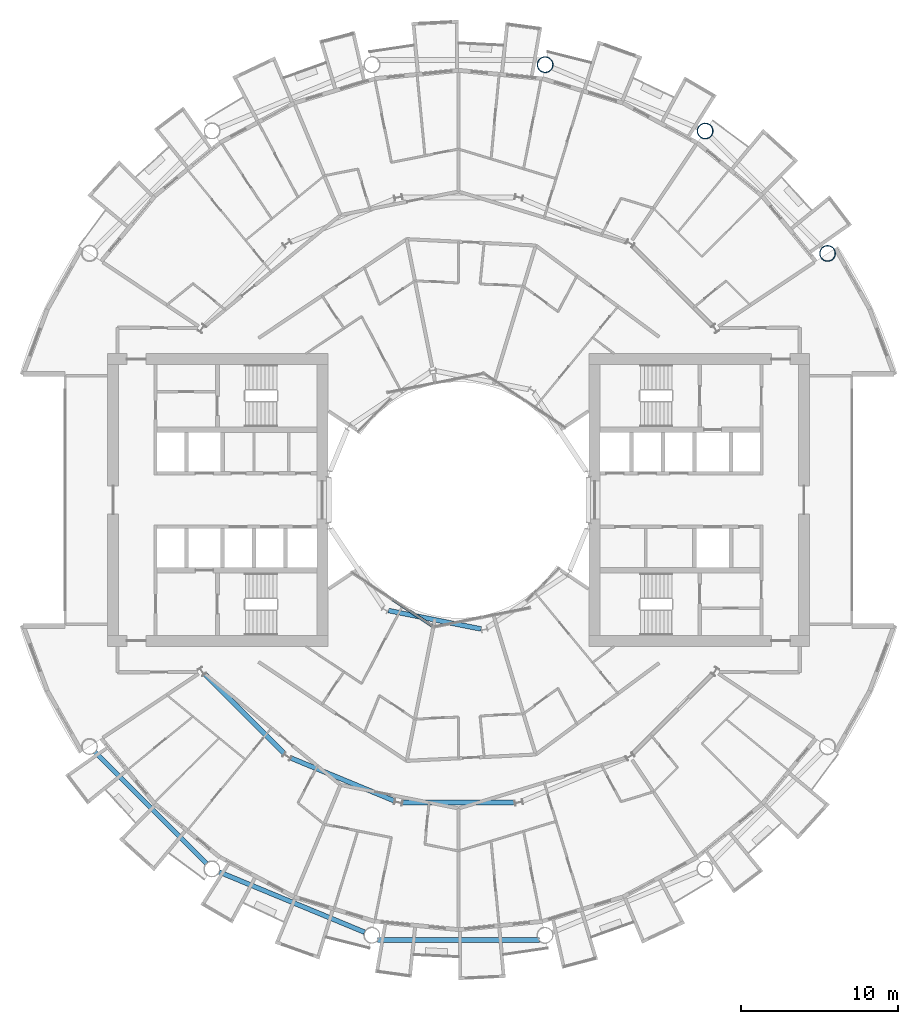
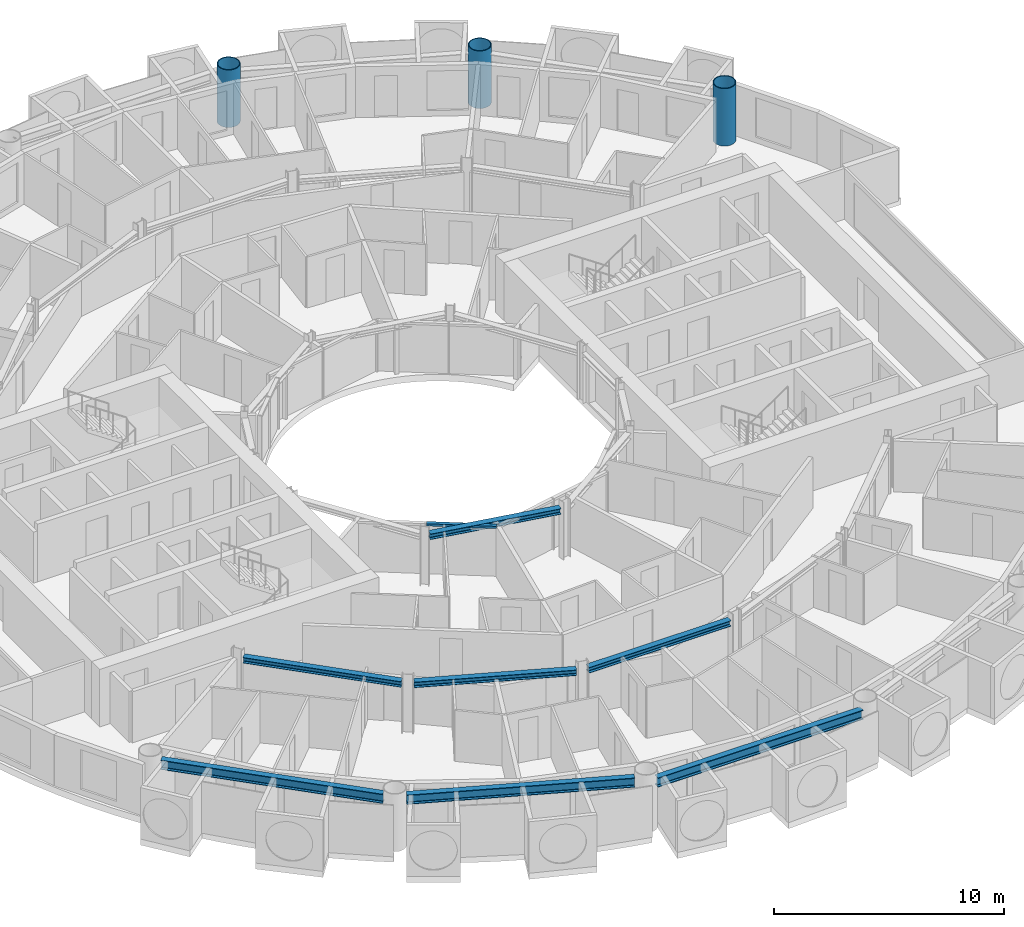
# One storey, part 4 of 26: 7 beams, 3 columns, 1 member, 1 element without a shape of its own.
"""IFC4 building model written with IfcOpenShell, lengths in metres."""

from ifc_helpers import new_model, si_unit, direction, frame, origin, origin_2d, place, context, subcontext, project, spatial, rectangle, hollow_circle, i_section, extrude, material, layer, layer_set, material_profile, profile_set, type_object, element, aggregate, save


model = new_model("IFC4")

# Units and contexts
model_context = context("Model", 3, precision=1e-05, world=origin(), true_north=direction((0.0, 1.0)))
body_context = subcontext(model_context, "Body", "Model", "MODEL_VIEW")
ifc_project = project(units=[si_unit("LENGTHUNIT", "METRE"), si_unit("AREAUNIT", "SQUARE_METRE"), si_unit("VOLUMEUNIT", "CUBIC_METRE"), si_unit("PLANEANGLEUNIT", "RADIAN"), si_unit("MASSUNIT", "GRAM", prefix="KILO")], contexts=[model_context])

# Site, building, storey
site_placement = place(None, origin())
site = spatial("IfcSite", under=ifc_project, at=site_placement, CompositionType="ELEMENT")
building_placement = place(site_placement, origin())
building = spatial("IfcBuilding", under=site, at=building_placement, Name="Maasbend Ring Residences", CompositionType="ELEMENT")
storey_placement = place(building_placement, frame((0.0, 0.0, 91.050048828125)))
storey = spatial("IfcBuildingStorey", under=building, at=storey_placement, Name="L26", CompositionType="ELEMENT", Elevation=91.050048828125)

# Columns
ifc_material_1 = material(Name="Composite concrete-filled steel tube S460NH / C80/95", Category="concrete")
ifc_material_profile_1 = material_profile(ifc_material_1, hollow_circle(Radius=0.508056640625, WallThickness=0.0400390625, at=origin_2d()), Name="Composite tube column CHS 1016x40")
ifc_profile_set_1 = profile_set([ifc_material_profile_1], Name="Composite concrete-filled steel tube S460NH / C80/95")
column_type = type_object("IfcColumnType", Name="Composite tube column CHS 1016x40", PredefinedType="COLUMN", material=ifc_profile_set_1)
for number, where, z_axis, x_axis, name in (
    (1, (23.447509765625, 15.6669921875, 0.0), (0.0, 0.0, 1.0), (1.0, 0.0, 0.0), "Outer column R2"),
    (2, (15.6669921875, 23.447509765625, 0.0), (0.0, 0.0, 1.0), (1.0, 0.0, 0.0), "Outer column R3"),
    (3, (5.50146484375, 27.658203125, 0.0), (0.0, 0.0, 1.0), (1.0, 0.0, 0.0), "Outer column R4"),
):
    element("IfcColumn", number, at=place(storey_placement, frame(where, z_axis=z_axis, x_axis=x_axis)), inside=storey, type_object=column_type, Name=name, PredefinedType="COLUMN", context=body_context, shape_type="SweptSolid", body=[
        extrude(hollow_circle(Radius=0.508056640625, WallThickness=0.0400390625, at=origin_2d()), origin(), (0.0, 0.0, 1.0), 3.050048828125),
    ])

# Curtain wall, member
ifc_material_2 = material(Name="Aluminium and clear glass", Category="aluminium")
ifc_layer = layer(ifc_material_2, 0.179931640625)
ifc_layer_set = layer_set([ifc_layer], Name="CW-W")
curtain_wall_type = type_object("IfcCurtainWallType", Name="CW-W", PredefinedType="NOTDEFINED", material=ifc_layer_set)
curtain_wall_placement = place(storey_placement, origin())
curtain_wall = element("IfcCurtainWall", 4, at=curtain_wall_placement, inside=storey, type_object=curtain_wall_type, Name="Well curtain wall S1", PredefinedType="NOTDEFINED")
ifc_material_3 = material(Name="Aluminium 6063-T6", Category="aluminium")
ifc_material_profile_2 = material_profile(ifc_material_3, rectangle(XDim=0.179931640625, YDim=0.1201171875, at=origin_2d()), Name="AL 180x120")
ifc_profile_set_2 = profile_set([ifc_material_profile_2], Name="Aluminium 6063-T6")
member_type = type_object("IfcMemberType", Name="CWT-W", PredefinedType="USERDEFINED", material=ifc_profile_set_2)
member_placement = place(storey_placement, frame((-4.19189453125, -6.32763671875, 2.639892578125), z_axis=(0.831496422459, -0.555530106689, 0.0), x_axis=(0.555530106689, 0.831496422459, 0.0)))
member = element("IfcMember", 5, at=member_placement, type_object=member_type, Name="Transom well face", ObjectType="TRANSOM", PredefinedType="USERDEFINED", context=body_context, shape_type="SweptSolid", body=[
    extrude(rectangle(XDim=0.179931640625, YDim=0.1201171875, at=origin_2d()), origin(), (0.0, 0.0, 1.0), 3.053955078125),
])
aggregate(curtain_wall, [member])

# Beams
ifc_material_4 = material(Name="Steel S355J2", Category="steel")
ifc_material_profile_3 = material_profile(ifc_material_4, i_section(OverallWidth=0.300048828125, OverallDepth=0.300048828125, WebThickness=0.010986328125, FlangeThickness=0.01904296875, FilletRadius=0.027099609375, at=origin_2d()), Name="HEB 300")
ifc_profile_set_3 = profile_set([ifc_material_profile_3], Name="Steel S355J2")
beam_type_1 = type_object("IfcBeamType", Name="Corridor ring beam HEB 300", PredefinedType="BEAM", material=ifc_profile_set_3)
for number, where, z_axis, x_axis, name in (
    (6, (-16.10791015625, -11.078125, 2.550048828125), (0.707106781187, -0.707106781187, 0.0), (0.707106781187, 0.707106781187, 0.0), "Corridor ring beam"),
    (7, (-10.642333984375, -16.39892578125, 2.550048828125), (0.923877113721, -0.382689271788, 0.0), (0.382689271788, 0.923877113721, 0.0), "Corridor ring beam"),
    (8, (-3.556640625, -19.223388671875, 2.550048828125), (1.0, 0.0, 0.0), (0.0, 1.0, 0.0), "Corridor ring beam"),
):
    element("IfcBeam", number, at=place(storey_placement, frame(where, z_axis=z_axis, x_axis=x_axis)), inside=storey, type_object=beam_type_1, Name=name, PredefinedType="BEAM", context=body_context, shape_type="SweptSolid", body=[
        extrude(i_section(OverallWidth=0.300048828125, OverallDepth=0.300048828125, WebThickness=0.010986328125, FlangeThickness=0.01904296875, FilletRadius=0.027099609375, at=origin_2d()), origin(), (0.0, 0.0, 1.0), 7.11328125),
    ])
ifc_material_5 = material(Name="Steel S355J2", Category="steel")
ifc_material_profile_4 = material_profile(ifc_material_5, i_section(OverallWidth=0.300048828125, OverallDepth=0.5, WebThickness=0.014404296875, FlangeThickness=0.028076171875, FilletRadius=0.027099609375, at=origin_2d()), Name="HEB 500")
ifc_profile_set_4 = profile_set([ifc_material_profile_4], Name="Steel S355J2")
beam_type_2 = type_object("IfcBeamType", Name="Spandrel ring beam HEB 500", PredefinedType="SPANDREL", material=ifc_profile_set_4)
beam_1_placement = place(storey_placement, frame((-23.088134765625, -16.0263671875, 2.449951171875), z_axis=(0.707106781187, -0.707106781187, 0.0), x_axis=(0.707106781187, 0.707106781187, 0.0)))
element("IfcBeam", 9, at=beam_1_placement, inside=storey, type_object=beam_type_2, Name="Spandrel ring beam", PredefinedType="SPANDREL", context=body_context, shape_type="SweptSolid", body=[
    extrude(i_section(OverallWidth=0.300048828125, OverallDepth=0.5, WebThickness=0.014404296875, FlangeThickness=0.028076171875, FilletRadius=0.027099609375, at=origin_2d()), origin(), (0.0, 0.0, 1.0), 9.98681640625),
])
beam_2_placement = place(storey_placement, frame((-15.19775390625, -23.641845703125, 2.449951171875), z_axis=(0.923886337442, -0.382667003395, 0.0), x_axis=(0.382667003395, 0.923886337442, 0.0)))
element("IfcBeam", 10, at=beam_2_placement, inside=storey, type_object=beam_type_2, Name="Spandrel ring beam", PredefinedType="SPANDREL", context=body_context, shape_type="SweptSolid", body=[
    extrude(i_section(OverallWidth=0.300048828125, OverallDepth=0.5, WebThickness=0.014404296875, FlangeThickness=0.028076171875, FilletRadius=0.027099609375, at=origin_2d()), origin(), (0.0, 0.0, 1.0), 9.9873046875),
])
beam_3_placement = place(storey_placement, frame((-5.1435546875, -27.9580078125, 2.449951171875), z_axis=(1.0, 0.0, 0.0), x_axis=(0.0, 1.0, 0.0)))
element("IfcBeam", 11, at=beam_3_placement, inside=storey, type_object=beam_type_2, Name="Spandrel ring beam", PredefinedType="SPANDREL", context=body_context, shape_type="SweptSolid", body=[
    extrude(i_section(OverallWidth=0.300048828125, OverallDepth=0.5, WebThickness=0.014404296875, FlangeThickness=0.028076171875, FilletRadius=0.027099609375, at=origin_2d()), origin(), (0.0, 0.0, 1.0), 10.287109375),
])
ifc_material_6 = material(Name="Steel S355J2", Category="steel")
ifc_material_profile_5 = material_profile(ifc_material_6, i_section(OverallWidth=0.300048828125, OverallDepth=0.300048828125, WebThickness=0.010986328125, FlangeThickness=0.01904296875, FilletRadius=0.027099609375, at=origin_2d()), Name="HEB 300")
ifc_profile_set_5 = profile_set([ifc_material_profile_5], Name="Steel S355J2")
beam_type_3 = type_object("IfcBeamType", Name="Well edge beam HEB 300", PredefinedType="BEAM", material=ifc_profile_set_5)
beam_4_placement = place(storey_placement, frame((-4.45458984375, -7.026611328125, 2.550048828125), z_axis=(0.980789954577, -0.195066821885, 0.0), x_axis=(0.195066821885, 0.980789954577, 0.0)))
element("IfcBeam", 12, at=beam_4_placement, inside=storey, type_object=beam_type_3, Name="Well edge beam", PredefinedType="BEAM", context=body_context, shape_type="SweptSolid", body=[
    extrude(i_section(OverallWidth=0.300048828125, OverallDepth=0.300048828125, WebThickness=0.010986328125, FlangeThickness=0.01904296875, FilletRadius=0.027099609375, at=origin_2d()), origin(), (0.0, 0.0, 1.0), 5.996337890625),
])

save(model, "model.ifc")
